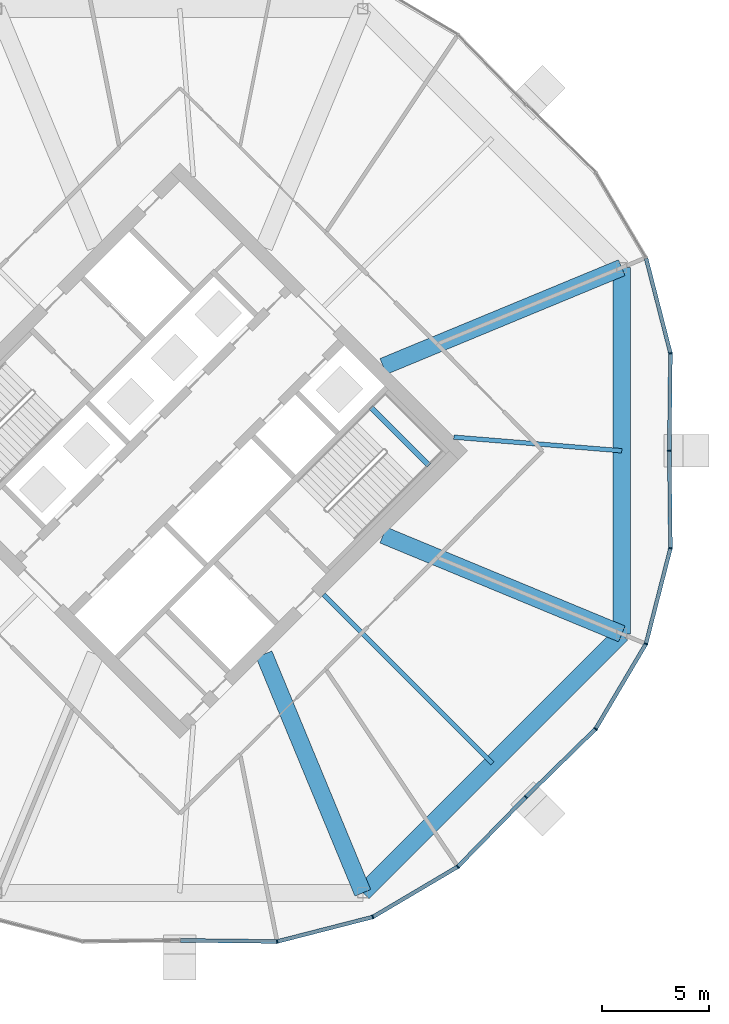
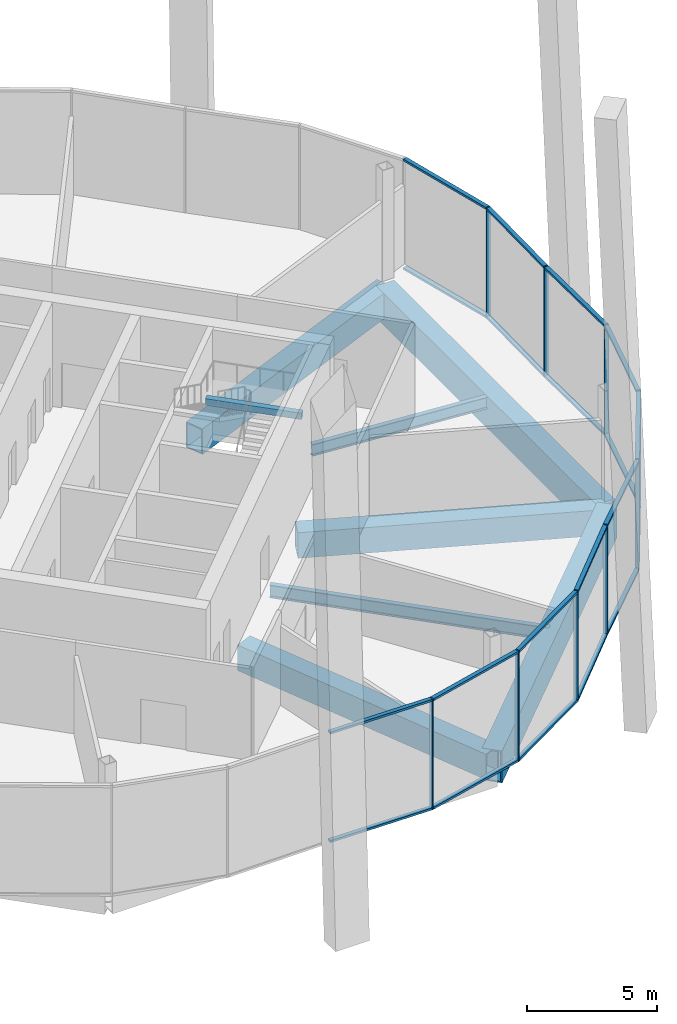
# One storey, part 14 of 28: 29 members, 8 beams, 3 elements without a shape of their own.
"""IFC4 building model written with IfcOpenShell, lengths in metres."""

import ifcopenshell
import ifcopenshell.guid

model = None  # the IFC model being written
_history = None  # IfcOwnerHistory: only IFC2X3 demands one
_inside = {}  # id of a spatial element -> (the spatial element, [elements in it])
_under = {}  # id of a project, library or spatial element -> (it, [spatial elements below it])
_declared = {}  # id of a project -> (the project, [libraries it declares])
_typed = {}  # id of a type object -> (the type object, [elements of that type])
_made_of = {}  # id of a material, layer set ... -> (it, [elements and type objects made of it])


def new_model(schema):
    """Start an empty IFC model of exactly this schema.

    Asked for "IFC4X3", IfcOpenShell would pick the latest addendum, in which some entities
    have other attributes; the version numbers below select the first issue.
    IFC2X3 requires an IfcOwnerHistory on every rooted entity: one is made here for all.
    """
    global model, _history
    if schema == "IFC4X3":
        model = ifcopenshell.file(schema_version=(4, 3, 0, 0))
    else:
        model = ifcopenshell.file(schema=schema)
    _inside.clear()
    _under.clear()
    _declared.clear()
    _typed.clear()
    _made_of.clear()
    _history = None
    if model.schema == "IFC2X3":
        org = make("IfcOrganization", Name="unknown")
        user = make(
            "IfcPersonAndOrganization",
            ThePerson=make("IfcPerson", FamilyName="unknown"),
            TheOrganization=org,
        )
        app = make(
            "IfcApplication",
            ApplicationDeveloper=org,
            Version="unknown",
            ApplicationFullName="unknown",
            ApplicationIdentifier="unknown",
        )
        _history = make(
            "IfcOwnerHistory",
            OwningUser=user,
            OwningApplication=app,
            ChangeAction="ADDED",
            CreationDate=0,
        )
    return model


def make(cls, **values):
    """One entity of the class cls with the attributes given. An attribute that is None is left unset."""
    return model.create_entity(
        cls, **{name: value for name, value in values.items() if value is not None}
    )


def rooted(cls, **values):
    """An entity with a GlobalId (a new one), such as an element, a storey or a relation."""
    return make(cls, GlobalId=ifcopenshell.guid.new(), OwnerHistory=_history, **values)


def si_unit(unit_type, name, prefix=None):
    """IfcSIUnit, for example si_unit("LENGTHUNIT", "METRE", prefix="MILLI")."""
    return make("IfcSIUnit", UnitType=unit_type, Prefix=prefix, Name=name)


def assignment(units):
    """IfcUnitAssignment: the units of a project."""
    return None if units is None else make("IfcUnitAssignment", Units=units)


def point(xyz):
    """IfcCartesianPoint."""
    return None if xyz is None else make("IfcCartesianPoint", Coordinates=xyz)


def direction(xyz):
    """IfcDirection."""
    return None if xyz is None else make("IfcDirection", DirectionRatios=xyz)


def frame(location, z_axis=None, x_axis=None):
    """IfcAxis2Placement3D, a coordinate frame: its origin and axes. An axis left out is left unset."""
    return make(
        "IfcAxis2Placement3D",
        Location=point(location),
        Axis=direction(z_axis),
        RefDirection=direction(x_axis),
    )


def frame_2d(location, x_axis=None):
    """IfcAxis2Placement2D, a coordinate frame in the plane: its origin and x axis."""
    return make(
        "IfcAxis2Placement2D", Location=point(location), RefDirection=direction(x_axis)
    )


def origin():
    """The frame at (0, 0, 0) with its axes left unset."""
    return frame((0.0, 0.0, 0.0))


def origin_2d():
    """The frame at (0, 0) in the plane with its x axis left unset."""
    return frame_2d((0.0, 0.0))


def place(relative_to, where):
    """IfcLocalPlacement: puts the frame where relative to a parent placement (None: the world)."""
    return make(
        "IfcLocalPlacement", PlacementRelTo=relative_to, RelativePlacement=where
    )


def context(
    kind, dimensions, precision=None, world=None, true_north=None, identifier=None
):
    """IfcGeometricRepresentationContext, for example the 3D "Model" context."""
    return make(
        "IfcGeometricRepresentationContext",
        ContextIdentifier=identifier,
        ContextType=kind,
        CoordinateSpaceDimension=dimensions,
        Precision=precision,
        WorldCoordinateSystem=world,
        TrueNorth=true_north,
    )


def subcontext(parent, identifier, kind, view, scale=None):
    """IfcGeometricRepresentationSubContext, for example "Body" below "Model"."""
    return make(
        "IfcGeometricRepresentationSubContext",
        ContextIdentifier=identifier,
        ContextType=kind,
        ParentContext=parent,
        TargetScale=scale,
        TargetView=view,
    )


def project(units=None, contexts=None):
    """IfcProject with its units and contexts."""
    return rooted(
        "IfcProject",
        Name="project",
        RepresentationContexts=contexts,
        UnitsInContext=assignment(units),
    )


def spatial(cls, under=None, at=None, **own):
    """A site, building, storey or space (cls), placed at a placement, below another one or the project."""
    s = rooted(cls, ObjectPlacement=at, **own)
    if under is not None:
        _under.setdefault(under.id(), (under, []))[1].append(s)
    return s


def profile(cls, at=None, kind="AREA", **sizes):
    """A parametric profile (cls). Its sizes go by their IFC names, for example OverallWidth=200.0."""
    return make(cls, ProfileType=kind, Position=at, **sizes)


def rectangle(**sizes):
    """IfcRectangleProfileDef."""
    return profile("IfcRectangleProfileDef", **sizes)


def hollow_rectangle(**sizes):
    """IfcRectangleHollowProfileDef."""
    return profile("IfcRectangleHollowProfileDef", **sizes)


def i_section(**sizes):
    """IfcIShapeProfileDef."""
    return profile("IfcIShapeProfileDef", **sizes)


def extrude(swept, where, along, depth):
    """IfcExtrudedAreaSolid: the profile swept, set in the frame where, extruded along a direction by depth."""
    return make(
        "IfcExtrudedAreaSolid",
        SweptArea=swept,
        Position=where,
        ExtrudedDirection=direction(along),
        Depth=depth,
    )


def shape(context_of_items, identifier, shape_type, items):
    """IfcShapeRepresentation: the items that make up one representation, for example the "Body"."""
    return make(
        "IfcShapeRepresentation",
        ContextOfItems=context_of_items,
        RepresentationIdentifier=identifier,
        RepresentationType=shape_type,
        Items=items,
    )


def material(Name=None, Category=None):
    """IfcMaterial."""
    return make("IfcMaterial", Name=Name, Category=Category)


def material_profile(
    of_material, cross_section, Name=None, Category=None, Priority=None
):
    """IfcMaterialProfile: a cross section and its material."""
    return make(
        "IfcMaterialProfile",
        Name=Name,
        Material=of_material,
        Profile=cross_section,
        Priority=Priority,
        Category=Category,
    )


def profile_set(profiles, Name=None, composite=None):
    """IfcMaterialProfileSet."""
    return make(
        "IfcMaterialProfileSet",
        Name=Name,
        MaterialProfiles=profiles,
        CompositeProfile=composite,
    )


def made_of(thing, what):
    """Note that an element or type object is made of a material, layer set ...; save() writes the relation."""
    if what is not None:
        _made_of.setdefault(what.id(), (what, []))[1].append(thing)
    return thing


def type_object(cls, material=None, **own):
    """A type object (cls), such as IfcWallType, which elements share."""
    return made_of(rooted(cls, **own), material)


def element(
    cls,
    number,
    at=None,
    inside=None,
    cuts=None,
    type_object=None,
    material=None,
    context=None,
    identifier="Body",
    shape_type=None,
    held_by="IfcProductDefinitionShape",
    body=None,
    shapes=None,
    **own,
):
    """One element of the class cls, such as IfcWall. Its Tag is "e" and its number.

    at: its placement. inside: the storey or other place that contains it. cuts: it is an
    opening in that element (IfcRelVoidsElement). A single representation is given by context,
    identifier, shape_type and body (its items); several are given by shapes. held_by: the class
    of the entity that holds the representations. save() writes the other relations.
    """
    e = rooted(cls, Tag="e%d" % number, ObjectPlacement=at, **own)
    if body is not None:
        shapes = [shape(context, identifier, shape_type, body)]
    if shapes is not None:
        e.Representation = make(held_by, Representations=shapes)
    if inside is not None:
        _inside.setdefault(inside.id(), (inside, []))[1].append(e)
    if cuts is not None:
        rooted(
            "IfcRelVoidsElement", RelatingBuildingElement=cuts, RelatedOpeningElement=e
        )
    if type_object is not None:
        _typed.setdefault(type_object.id(), (type_object, []))[1].append(e)
    return made_of(e, material)


def aggregate(whole, parts):
    """IfcRelAggregates: a whole, such as a stair, and the parts it consists of."""
    return rooted("IfcRelAggregates", RelatingObject=whole, RelatedObjects=parts)


def save(model, path):
    """Write the relations noted so far, then the file.

    IfcRelAggregates (storeys below a building ...), IfcRelContainedInSpatialStructure (elements
    in a storey), IfcRelDefinesByType, IfcRelAssociatesMaterial and IfcRelDeclares: one each for
    every whole, place, type object, material and project.
    """
    for whole, parts in _under.values():
        aggregate(whole, parts)
    for where, things in _inside.values():
        rooted(
            "IfcRelContainedInSpatialStructure",
            RelatedElements=things,
            RelatingStructure=where,
        )
    for kind, things in _typed.values():
        rooted("IfcRelDefinesByType", RelatedObjects=things, RelatingType=kind)
    for what, things in _made_of.values():
        rooted("IfcRelAssociatesMaterial", RelatedObjects=things, RelatingMaterial=what)
    for by, libraries in _declared.values():
        rooted("IfcRelDeclares", RelatingContext=by, RelatedDefinitions=libraries)
    model.write(path)


model = new_model("IFC4")

# Units and contexts
model_context = context("Model", 3, precision=1e-05, world=origin(), true_north=direction((0.0, 1.0)))
body_context = subcontext(model_context, "Body", "Model", "MODEL_VIEW")
ifc_project = project(units=[si_unit("LENGTHUNIT", "METRE"), si_unit("AREAUNIT", "SQUARE_METRE"), si_unit("VOLUMEUNIT", "CUBIC_METRE"), si_unit("PLANEANGLEUNIT", "RADIAN"), si_unit("MASSUNIT", "GRAM", prefix="KILO")], contexts=[model_context])

# Site, building, storey
site_placement = place(None, origin())
site = spatial("IfcSite", under=ifc_project, at=site_placement, CompositionType="ELEMENT")
building_placement = place(site_placement, origin())
building = spatial("IfcBuilding", under=site, at=building_placement, Name="Ogive Gate Towers", CompositionType="ELEMENT")
storey_placement = place(building_placement, frame((0.0, 0.0, 135.60009765625)))
storey = spatial("IfcBuildingStorey", under=building, at=storey_placement, Name="L32", CompositionType="ELEMENT", Elevation=135.60009765625)

# Beams
ifc_material_1 = material(Name="Steel SM460", Category="steel")
ifc_material_profile_1 = material_profile(ifc_material_1, hollow_rectangle(XDim=0.800048828125, YDim=1.5, WallThickness=0.06005859375, at=origin_2d()), Name="BX 1500x800x60")
ifc_profile_set_1 = profile_set([ifc_material_profile_1], Name="Steel SM460")
beam_type_1 = type_object("IfcBeamType", Name="Edge girder BX 1500x800x60", PredefinedType="BEAM", material=ifc_profile_set_1)
beam_1_placement = place(storey_placement, frame((44.549072265625, -20.639404296875, -1.050048828125), z_axis=(0.707106781187, 0.707106781187, 0.0), x_axis=(-0.707106781187, 0.707106781187, 0.0)))
element("IfcBeam", 1, at=beam_1_placement, inside=storey, type_object=beam_type_1, Name="T2/L32/SBM019", PredefinedType="BEAM", context=body_context, shape_type="SweptSolid", body=[
    extrude(hollow_rectangle(XDim=0.800048828125, YDim=1.5, WallThickness=0.06005859375, at=origin_2d()), origin(), (0.0, 0.0, 1.0), 17.098388671875),
])
beam_2_placement = place(storey_placement, frame((56.639404296875, -8.549072265625, -1.050048828125), z_axis=(0.0, 1.0, 0.0), x_axis=(-1.0, 0.0, 0.0)))
element("IfcBeam", 2, at=beam_2_placement, inside=storey, type_object=beam_type_1, Name="T2/L32/SBM020", PredefinedType="BEAM", context=body_context, shape_type="SweptSolid", body=[
    extrude(hollow_rectangle(XDim=0.800048828125, YDim=1.5, WallThickness=0.06005859375, at=origin_2d()), origin(), (0.0, 0.0, 1.0), 17.09814453125),
])
ifc_material_2 = material(Name="Concrete C40/50", Category="concrete")
ifc_material_profile_2 = material_profile(ifc_material_2, rectangle(XDim=0.25, YDim=0.300048828125, at=origin_2d()), Name="RC 250x300")
ifc_profile_set_2 = profile_set([ifc_material_profile_2], Name="Concrete C40/50")
beam_type_2 = type_object("IfcBeamType", Name="Landing bearer RC 250x300", PredefinedType="BEAM", material=ifc_profile_set_2)
beam_3_placement = place(storey_placement, frame((47.626708984375, -0.677001953125, 2.25), z_axis=(-0.707138693938, 0.707074866995, 0.0), x_axis=(-0.707074866995, -0.707138693938, 0.0)))
element("IfcBeam", 3, at=beam_3_placement, inside=storey, type_object=beam_type_2, Name="T2 L32 stair 2 landing bearer 1", PredefinedType="BEAM", context=body_context, shape_type="SweptSolid", body=[
    extrude(rectangle(XDim=0.25, YDim=0.300048828125, at=origin_2d()), origin(), (0.0, 0.0, 1.0), 3.824951171875),
])
ifc_material_3 = material(Name="Steel SM355", Category="steel")
ifc_material_profile_3 = material_profile(ifc_material_3, i_section(OverallWidth=0.2099609375, OverallDepth=0.550048828125, WebThickness=0.010986328125, FlangeThickness=0.01708984375, FilletRadius=0.02392578125, at=origin_2d()), Name="IPE 550")
ifc_profile_set_3 = profile_set([ifc_material_profile_3], Name="Steel SM355")
beam_type_3 = type_object("IfcBeamType", Name="Radial floor beam IPE 550", PredefinedType="BEAM", material=ifc_profile_set_3)
beam_4_placement = place(storey_placement, frame((48.798583984375, 0.636474609375, -0.5751953125), z_axis=(0.996721544062, -0.080908365468, 0.0), x_axis=(0.080908365468, 0.996721544062, 0.0)))
element("IfcBeam", 4, at=beam_4_placement, inside=storey, type_object=beam_type_3, Name="T2/L32/SBM008", PredefinedType="BEAM", context=body_context, shape_type="SweptSolid", body=[
    extrude(i_section(OverallWidth=0.2099609375, OverallDepth=0.550048828125, WebThickness=0.010986328125, FlangeThickness=0.01708984375, FilletRadius=0.02392578125, at=origin_2d()), origin(), (0.0, 0.0, 1.0), 7.86669921875),
])
ifc_material_profile_4 = material_profile(ifc_material_3, i_section(OverallWidth=0.219970703125, OverallDepth=0.60009765625, WebThickness=0.011962890625, FlangeThickness=0.01904296875, FilletRadius=0.02392578125, at=origin_2d()), Name="IPE 600")
ifc_profile_set_4 = profile_set([ifc_material_profile_4], Name="Steel SM355")
beam_type_4 = type_object("IfcBeamType", Name="Radial floor beam IPE 600", PredefinedType="BEAM", material=ifc_profile_set_4)
beam_5_placement = place(storey_placement, frame((42.717529296875, -6.717529296875, -0.60009765625), z_axis=(0.707106781187, -0.707106781187, 0.0), x_axis=(0.707106781187, 0.707106781187, 0.0)))
element("IfcBeam", 5, at=beam_5_placement, inside=storey, type_object=beam_type_4, Name="T2/L32/SBM006", PredefinedType="BEAM", context=body_context, shape_type="SweptSolid", body=[
    extrude(i_section(OverallWidth=0.219970703125, OverallDepth=0.60009765625, WebThickness=0.011962890625, FlangeThickness=0.01904296875, FilletRadius=0.02392578125, at=origin_2d()), origin(), (0.0, 0.0, 1.0), 11.139404296875),
])

# Curtain wall, members
ifc_material_4 = material(Name="Pale metal aluminium", Category="aluminium")
curtain_wall_type = type_object("IfcCurtainWallType", Name="Tower unitised wall, high zone", PredefinedType="NOTDEFINED", material=ifc_material_4)
curtain_wall_1_placement = place(storey_placement, origin())
curtain_wall_1 = element("IfcCurtainWall", 6, at=curtain_wall_1_placement, inside=storey, type_object=curtain_wall_type, Name="CW2 T2 ECW01", PredefinedType="NOTDEFINED")
ifc_material_profile_5 = material_profile(ifc_material_4, rectangle(XDim=0.179931640625, YDim=0.06005859375, at=origin_2d()), Name="60 x 180 aluminium box")
ifc_profile_set_5 = profile_set([ifc_material_profile_5], Name="Pale metal aluminium")
member_type_1 = type_object("IfcMemberType", Name="Tower unitised wall, high zone mullion 60 x 180", PredefinedType="MULLION", material=ifc_profile_set_5)
member_1_placement = place(storey_placement, frame((58.860107421875, 0.0, -0.300048828125), z_axis=(0.0, 0.0, 1.0), x_axis=(0.999932240296, -0.011641083172, 0.0)))
member_1 = element("IfcMember", 7, at=member_1_placement, type_object=member_type_1, Name="CW2 mullion", PredefinedType="MULLION", context=body_context, shape_type="SweptSolid", body=[
    extrude(rectangle(XDim=0.179931640625, YDim=0.06005859375, at=origin_2d()), origin(), (0.0, 0.0, 1.0), 5.199951171875),
])
member_2_placement = place(storey_placement, frame((58.9130859375, 4.550537109375, -0.300048828125), z_axis=(0.0, 0.0, 1.0), x_axis=(0.992840971329, 0.119443734243, 0.0)))
member_2 = element("IfcMember", 8, at=member_2_placement, type_object=member_type_1, Name="CW2 mullion", PredefinedType="MULLION", context=body_context, shape_type="SweptSolid", body=[
    extrude(rectangle(XDim=0.179931640625, YDim=0.06005859375, at=origin_2d()), origin(), (0.0, 0.0, 1.0), 5.199951171875),
])

curtain_wall_2_placement = place(storey_placement, origin())
curtain_wall_2 = element("IfcCurtainWall", 9, at=curtain_wall_2_placement, inside=storey, type_object=curtain_wall_type, Name="CW2 T2 ECW07", PredefinedType="NOTDEFINED")
member_3_placement = place(storey_placement, frame((40.550537109375, -22.9130859375, -0.300048828125), z_axis=(0.0, 0.0, 1.0), x_axis=(0.119443734243, -0.992840971329, 0.0)))
member_3 = element("IfcMember", 10, at=member_3_placement, type_object=member_type_1, Name="CW2 mullion", PredefinedType="MULLION", context=body_context, shape_type="SweptSolid", body=[
    extrude(rectangle(XDim=0.179931640625, YDim=0.06005859375, at=origin_2d()), origin(), (0.0, 0.0, 1.0), 5.199951171875),
])
member_4_placement = place(storey_placement, frame((45.016357421875, -21.767578125, -0.300048828125), z_axis=(0.0, 0.0, 1.0), x_axis=(0.382683432365, -0.923879532511, 0.0)))
member_4 = element("IfcMember", 11, at=member_4_placement, type_object=member_type_1, Name="CW2 mullion", PredefinedType="MULLION", context=body_context, shape_type="SweptSolid", body=[
    extrude(rectangle(XDim=0.179931640625, YDim=0.06005859375, at=origin_2d()), origin(), (0.0, 0.0, 1.0), 5.199951171875),
])
member_5_placement = place(storey_placement, frame((48.984130859375, -19.419677734375, -0.300048828125), z_axis=(0.0, 0.0, 1.0), x_axis=(0.617585109014, -0.78650405792, 0.0)))
member_5 = element("IfcMember", 12, at=member_5_placement, type_object=member_type_1, Name="CW2 mullion", PredefinedType="MULLION", context=body_context, shape_type="SweptSolid", body=[
    extrude(rectangle(XDim=0.179931640625, YDim=0.06005859375, at=origin_2d()), origin(), (0.0, 0.0, 1.0), 5.199951171875),
])
member_6_placement = place(storey_placement, frame((52.164306640625, -16.16455078125, -0.300048828125), z_axis=(0.0, 0.0, 1.0), x_axis=(0.715302553421, -0.698814894711, 0.0)))
member_6 = element("IfcMember", 13, at=member_6_placement, type_object=member_type_1, Name="CW2 mullion", PredefinedType="MULLION", context=body_context, shape_type="SweptSolid", body=[
    extrude(rectangle(XDim=0.179931640625, YDim=0.06005859375, at=origin_2d()), origin(), (0.0, 0.0, 1.0), 5.199951171875),
])

curtain_wall_3_placement = place(storey_placement, origin())
curtain_wall_3 = element("IfcCurtainWall", 14, at=curtain_wall_3_placement, inside=storey, type_object=curtain_wall_type, Name="CW2 T2 ECW08", PredefinedType="NOTDEFINED")
member_7_placement = place(storey_placement, frame((55.419677734375, -12.984130859375, -0.300048828125), z_axis=(0.0, 0.0, 1.0), x_axis=(0.78650405792, -0.617585109014, 0.0)))
member_7 = element("IfcMember", 15, at=member_7_placement, type_object=member_type_1, Name="CW2 mullion", PredefinedType="MULLION", context=body_context, shape_type="SweptSolid", body=[
    extrude(rectangle(XDim=0.179931640625, YDim=0.06005859375, at=origin_2d()), origin(), (0.0, 0.0, 1.0), 5.199951171875),
])
member_8_placement = place(storey_placement, frame((57.767578125, -9.016357421875, -0.300048828125), z_axis=(0.0, 0.0, 1.0), x_axis=(0.923879532511, -0.382683432365, 0.0)))
member_8 = element("IfcMember", 16, at=member_8_placement, type_object=member_type_1, Name="CW2 mullion", PredefinedType="MULLION", context=body_context, shape_type="SweptSolid", body=[
    extrude(rectangle(XDim=0.179931640625, YDim=0.06005859375, at=origin_2d()), origin(), (0.0, 0.0, 1.0), 5.199951171875),
])
member_9_placement = place(storey_placement, frame((58.9130859375, -4.550537109375, -0.300048828125), z_axis=(0.0, 0.0, 1.0), x_axis=(0.992840971329, -0.119443734243, 0.0)))
member_9 = element("IfcMember", 17, at=member_9_placement, type_object=member_type_1, Name="CW2 mullion", PredefinedType="MULLION", context=body_context, shape_type="SweptSolid", body=[
    extrude(rectangle(XDim=0.179931640625, YDim=0.06005859375, at=origin_2d()), origin(), (0.0, 0.0, 1.0), 5.199951171875),
])

# Member
ifc_material_profile_6 = material_profile(ifc_material_4, rectangle(XDim=0.179931640625, YDim=0.10009765625, at=origin_2d()), Name="100 x 180 aluminium box")
ifc_profile_set_6 = profile_set([ifc_material_profile_6], Name="Pale metal aluminium")
member_type_2 = type_object("IfcMemberType", Name="Tower unitised wall, high zone transom 100 x 180", PredefinedType="USERDEFINED", material=ifc_profile_set_6)
member_10_placement = place(storey_placement, frame((58.8603515625, 0.030029296875, 4.849853515625), z_axis=(0.01163028025, 0.999932366003, 0.0), x_axis=(-0.999932366003, 0.01163028025, 0.0)))
member_10 = element("IfcMember", 18, at=member_10_placement, type_object=member_type_2, Name="CW2 transom", ObjectType="TRANSOM", PredefinedType="USERDEFINED", context=body_context, shape_type="SweptSolid", body=[
    extrude(rectangle(XDim=0.179931640625, YDim=0.10009765625, at=origin_2d()), origin(), (0.0, 0.0, 1.0), 4.4921875),
])

member_11_placement = place(storey_placement, frame((58.8603515625, 0.030029296875, -0.25), z_axis=(0.01163028025, 0.999932366003, 0.0), x_axis=(-0.999932366003, 0.01163028025, 0.0)))
member_11 = element("IfcMember", 19, at=member_11_placement, type_object=member_type_2, Name="CW2 transom", ObjectType="TRANSOM", PredefinedType="USERDEFINED", context=body_context, shape_type="SweptSolid", body=[
    extrude(rectangle(XDim=0.179931640625, YDim=0.10009765625, at=origin_2d()), origin(), (0.0, 0.0, 1.0), 4.4921875),
])

member_12_placement = place(storey_placement, frame((58.906005859375, 4.578369140625, 4.849853515625), z_axis=(-0.248473392549, 0.96863872171, 0.0), x_axis=(-0.96863872171, -0.248473392549, 0.0)))
member_12 = element("IfcMember", 20, at=member_12_placement, type_object=member_type_2, Name="CW2 transom", ObjectType="TRANSOM", PredefinedType="USERDEFINED", context=body_context, shape_type="SweptSolid", body=[
    extrude(rectangle(XDim=0.179931640625, YDim=0.10009765625, at=origin_2d()), origin(), (0.0, 0.0, 1.0), 4.55322265625),
])

member_13_placement = place(storey_placement, frame((58.906005859375, 4.578369140625, -0.25), z_axis=(-0.248473392549, 0.96863872171, 0.0), x_axis=(-0.96863872171, -0.248473392549, 0.0)))
member_13 = element("IfcMember", 21, at=member_13_placement, type_object=member_type_2, Name="CW2 transom", ObjectType="TRANSOM", PredefinedType="USERDEFINED", context=body_context, shape_type="SweptSolid", body=[
    extrude(rectangle(XDim=0.179931640625, YDim=0.10009765625, at=origin_2d()), origin(), (0.0, 0.0, 1.0), 4.55322265625),
])

aggregate(curtain_wall_1, [member_1, member_2, member_10, member_11, member_12, member_13])

member_14_placement = place(storey_placement, frame((36.030029296875, -22.8603515625, 4.849853515625), z_axis=(0.999932366003, -0.01163028025, 0.0), x_axis=(0.01163028025, 0.999932366003, 0.0)))
member_14 = element("IfcMember", 22, at=member_14_placement, type_object=member_type_2, Name="CW2 transom", ObjectType="TRANSOM", PredefinedType="USERDEFINED", context=body_context, shape_type="SweptSolid", body=[
    extrude(rectangle(XDim=0.179931640625, YDim=0.10009765625, at=origin_2d()), origin(), (0.0, 0.0, 1.0), 4.4921875),
])

member_15_placement = place(storey_placement, frame((36.030029296875, -22.8603515625, -0.25), z_axis=(0.999932366003, -0.01163028025, 0.0), x_axis=(0.01163028025, 0.999932366003, 0.0)))
member_15 = element("IfcMember", 23, at=member_15_placement, type_object=member_type_2, Name="CW2 transom", ObjectType="TRANSOM", PredefinedType="USERDEFINED", context=body_context, shape_type="SweptSolid", body=[
    extrude(rectangle(XDim=0.179931640625, YDim=0.10009765625, at=origin_2d()), origin(), (0.0, 0.0, 1.0), 4.4921875),
])

member_16_placement = place(storey_placement, frame((40.578369140625, -22.906005859375, 4.849853515625), z_axis=(0.96863872171, 0.248473392549, 0.0), x_axis=(-0.248473392549, 0.96863872171, 0.0)))
member_16 = element("IfcMember", 24, at=member_16_placement, type_object=member_type_2, Name="CW2 transom", ObjectType="TRANSOM", PredefinedType="USERDEFINED", context=body_context, shape_type="SweptSolid", body=[
    extrude(rectangle(XDim=0.179931640625, YDim=0.10009765625, at=origin_2d()), origin(), (0.0, 0.0, 1.0), 4.55322265625),
])

member_17_placement = place(storey_placement, frame((40.578369140625, -22.906005859375, -0.25), z_axis=(0.96863872171, 0.248473392549, 0.0), x_axis=(-0.248473392549, 0.96863872171, 0.0)))
member_17 = element("IfcMember", 25, at=member_17_placement, type_object=member_type_2, Name="CW2 transom", ObjectType="TRANSOM", PredefinedType="USERDEFINED", context=body_context, shape_type="SweptSolid", body=[
    extrude(rectangle(XDim=0.179931640625, YDim=0.10009765625, at=origin_2d()), origin(), (0.0, 0.0, 1.0), 4.55322265625),
])

member_18_placement = place(storey_placement, frame((45.041015625, -21.7529296875, 4.849853515625), z_axis=(0.860623205128, 0.509242279072, 0.0), x_axis=(-0.509242279072, 0.860623205128, 0.0)))
member_18 = element("IfcMember", 26, at=member_18_placement, type_object=member_type_2, Name="CW2 transom", ObjectType="TRANSOM", PredefinedType="USERDEFINED", context=body_context, shape_type="SweptSolid", body=[
    extrude(rectangle(XDim=0.179931640625, YDim=0.10009765625, at=origin_2d()), origin(), (0.0, 0.0, 1.0), 4.552978515625),
])

member_19_placement = place(storey_placement, frame((45.041015625, -21.7529296875, -0.25), z_axis=(0.860623205128, 0.509242279072, 0.0), x_axis=(-0.509242279072, 0.860623205128, 0.0)))
member_19 = element("IfcMember", 27, at=member_19_placement, type_object=member_type_2, Name="CW2 transom", ObjectType="TRANSOM", PredefinedType="USERDEFINED", context=body_context, shape_type="SweptSolid", body=[
    extrude(rectangle(XDim=0.179931640625, YDim=0.10009765625, at=origin_2d()), origin(), (0.0, 0.0, 1.0), 4.552978515625),
])

member_20_placement = place(storey_placement, frame((49.004150390625, -19.399169921875, 4.849853515625), z_axis=(0.698824901498, 0.715292777152, 0.0), x_axis=(-0.715292777152, 0.698824901498, 0.0)))
member_20 = element("IfcMember", 28, at=member_20_placement, type_object=member_type_2, Name="CW2 transom", ObjectType="TRANSOM", PredefinedType="USERDEFINED", context=body_context, shape_type="SweptSolid", body=[
    extrude(rectangle(XDim=0.179931640625, YDim=0.10009765625, at=origin_2d()), origin(), (0.0, 0.0, 1.0), 4.491943359375),
])

member_21_placement = place(storey_placement, frame((49.004150390625, -19.399169921875, -0.25), z_axis=(0.698824901498, 0.715292777152, 0.0), x_axis=(-0.715292777152, 0.698824901498, 0.0)))
member_21 = element("IfcMember", 29, at=member_21_placement, type_object=member_type_2, Name="CW2 transom", ObjectType="TRANSOM", PredefinedType="USERDEFINED", context=body_context, shape_type="SweptSolid", body=[
    extrude(rectangle(XDim=0.179931640625, YDim=0.10009765625, at=origin_2d()), origin(), (0.0, 0.0, 1.0), 4.491943359375),
])

aggregate(curtain_wall_2, [member_3, member_14, member_15, member_4, member_16, member_17, member_5, member_18, member_19, member_6, member_20, member_21])

member_22_placement = place(storey_placement, frame((52.18603515625, -16.143310546875, 4.849853515625), z_axis=(0.715292777152, 0.698824901498, 0.0), x_axis=(-0.698824901498, 0.715292777152, 0.0)))
member_22 = element("IfcMember", 30, at=member_22_placement, type_object=member_type_2, Name="CW2 transom", ObjectType="TRANSOM", PredefinedType="USERDEFINED", context=body_context, shape_type="SweptSolid", body=[
    extrude(rectangle(XDim=0.179931640625, YDim=0.10009765625, at=origin_2d()), origin(), (0.0, 0.0, 1.0), 4.491943359375),
])

member_23_placement = place(storey_placement, frame((52.18603515625, -16.143310546875, -0.25), z_axis=(0.715292777152, 0.698824901498, 0.0), x_axis=(-0.698824901498, 0.715292777152, 0.0)))
member_23 = element("IfcMember", 31, at=member_23_placement, type_object=member_type_2, Name="CW2 transom", ObjectType="TRANSOM", PredefinedType="USERDEFINED", context=body_context, shape_type="SweptSolid", body=[
    extrude(rectangle(XDim=0.179931640625, YDim=0.10009765625, at=origin_2d()), origin(), (0.0, 0.0, 1.0), 4.491943359375),
])

member_24_placement = place(storey_placement, frame((55.434326171875, -12.95947265625, 4.849853515625), z_axis=(0.509242279072, 0.860623205128, 0.0), x_axis=(-0.860623205128, 0.509242279072, 0.0)))
member_24 = element("IfcMember", 32, at=member_24_placement, type_object=member_type_2, Name="CW2 transom", ObjectType="TRANSOM", PredefinedType="USERDEFINED", context=body_context, shape_type="SweptSolid", body=[
    extrude(rectangle(XDim=0.179931640625, YDim=0.10009765625, at=origin_2d()), origin(), (0.0, 0.0, 1.0), 4.552978515625),
])

member_25_placement = place(storey_placement, frame((55.434326171875, -12.95947265625, -0.25), z_axis=(0.509242279072, 0.860623205128, 0.0), x_axis=(-0.860623205128, 0.509242279072, 0.0)))
member_25 = element("IfcMember", 33, at=member_25_placement, type_object=member_type_2, Name="CW2 transom", ObjectType="TRANSOM", PredefinedType="USERDEFINED", context=body_context, shape_type="SweptSolid", body=[
    extrude(rectangle(XDim=0.179931640625, YDim=0.10009765625, at=origin_2d()), origin(), (0.0, 0.0, 1.0), 4.552978515625),
])

member_26_placement = place(storey_placement, frame((57.774658203125, -8.98876953125, 4.849853515625), z_axis=(0.248473392549, 0.96863872171, 0.0), x_axis=(-0.96863872171, 0.248473392549, 0.0)))
member_26 = element("IfcMember", 34, at=member_26_placement, type_object=member_type_2, Name="CW2 transom", ObjectType="TRANSOM", PredefinedType="USERDEFINED", context=body_context, shape_type="SweptSolid", body=[
    extrude(rectangle(XDim=0.179931640625, YDim=0.10009765625, at=origin_2d()), origin(), (0.0, 0.0, 1.0), 4.55322265625),
])

member_27_placement = place(storey_placement, frame((57.774658203125, -8.98876953125, -0.25), z_axis=(0.248473392549, 0.96863872171, 0.0), x_axis=(-0.96863872171, 0.248473392549, 0.0)))
member_27 = element("IfcMember", 35, at=member_27_placement, type_object=member_type_2, Name="CW2 transom", ObjectType="TRANSOM", PredefinedType="USERDEFINED", context=body_context, shape_type="SweptSolid", body=[
    extrude(rectangle(XDim=0.179931640625, YDim=0.10009765625, at=origin_2d()), origin(), (0.0, 0.0, 1.0), 4.55322265625),
])

member_28_placement = place(storey_placement, frame((58.91259765625, -4.52197265625, 4.849853515625), z_axis=(-0.01163028025, 0.999932366003, 0.0), x_axis=(-0.999932366003, -0.01163028025, 0.0)))
member_28 = element("IfcMember", 36, at=member_28_placement, type_object=member_type_2, Name="CW2 transom", ObjectType="TRANSOM", PredefinedType="USERDEFINED", context=body_context, shape_type="SweptSolid", body=[
    extrude(rectangle(XDim=0.179931640625, YDim=0.10009765625, at=origin_2d()), origin(), (0.0, 0.0, 1.0), 4.4921875),
])

member_29_placement = place(storey_placement, frame((58.91259765625, -4.52197265625, -0.25), z_axis=(-0.01163028025, 0.999932366003, 0.0), x_axis=(-0.999932366003, -0.01163028025, 0.0)))
member_29 = element("IfcMember", 37, at=member_29_placement, type_object=member_type_2, Name="CW2 transom", ObjectType="TRANSOM", PredefinedType="USERDEFINED", context=body_context, shape_type="SweptSolid", body=[
    extrude(rectangle(XDim=0.179931640625, YDim=0.10009765625, at=origin_2d()), origin(), (0.0, 0.0, 1.0), 4.4921875),
])

aggregate(curtain_wall_3, [member_7, member_22, member_23, member_8, member_24, member_25, member_9, member_26, member_27, member_28, member_29])

# Beams
ifc_material_profile_7 = material_profile(ifc_material_1, hollow_rectangle(XDim=0.800048828125, YDim=1.199951171875, WallThickness=0.050048828125, at=origin_2d()), Name="BX 1200x800x50")
ifc_profile_set_7 = profile_set([ifc_material_profile_7], Name="Steel SM460")
beam_type_5 = type_object("IfcBeamType", Name="Transfer radial beam BX 1200x800x50", PredefinedType="BEAM", material=ifc_profile_set_7)
for number, where, z_axis, x_axis, name in (
    (38, (39.93505859375, -9.5, -0.900146484375), (0.382677863518, -0.923881839184, 0.0), (0.923881839184, 0.382677863518, 0.0), "T2/L32/SBM005"),
    (39, (45.5, -3.93505859375, -0.900146484375), (0.923881839184, -0.382677863518, 0.0), (0.382677863518, 0.923881839184, 0.0), "T2/L32/SBM007"),
    (40, (45.5, 3.93505859375, -0.900146484375), (0.923881839184, 0.382677863518, 0.0), (-0.382677863518, 0.923881839184, 0.0), "T2/L32/SBM009"),
):
    element("IfcBeam", number, at=place(storey_placement, frame(where, z_axis=z_axis, x_axis=x_axis)), inside=storey, type_object=beam_type_5, Name=name, PredefinedType="BEAM", context=body_context, shape_type="SweptSolid", body=[
        extrude(hollow_rectangle(XDim=0.800048828125, YDim=1.199951171875, WallThickness=0.050048828125, at=origin_2d()), origin(), (0.0, 0.0, 1.0), 12.05712890625),
    ])

save(model, "model.ifc")
